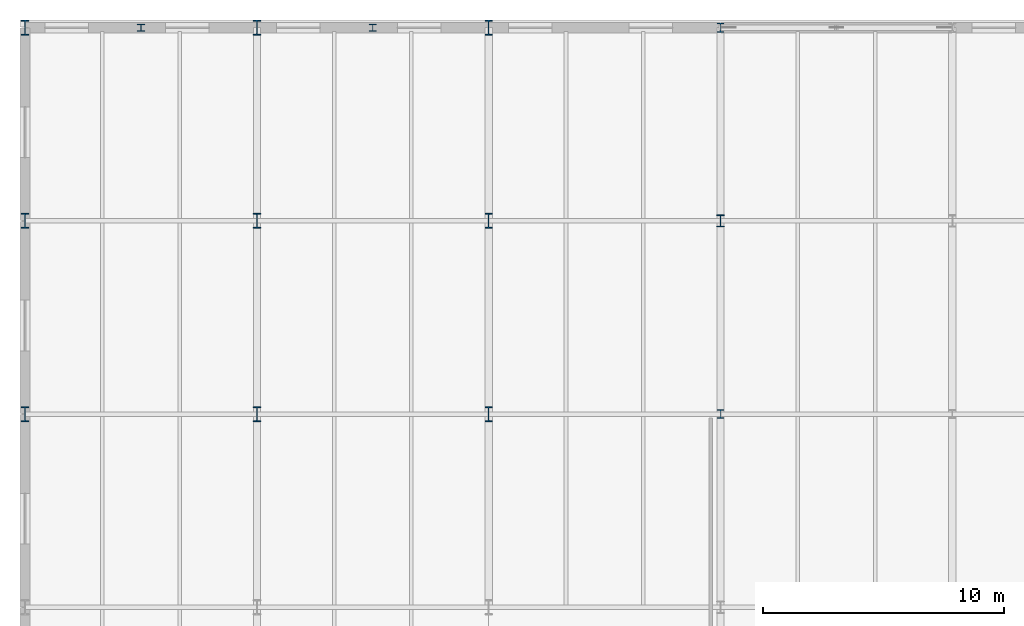
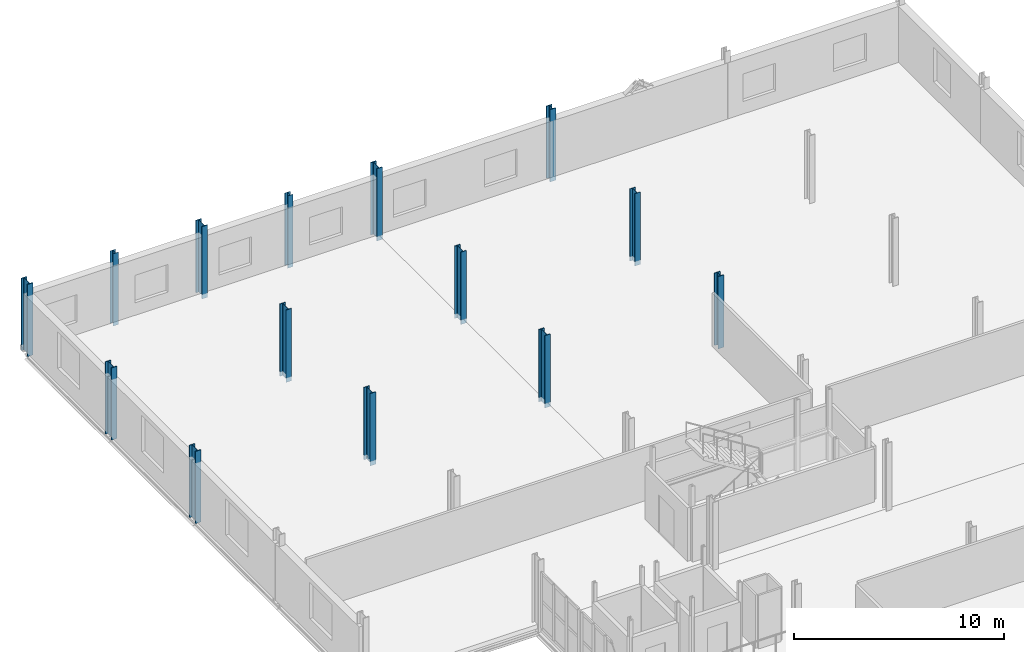
# One storey, part 17 of 78: 14 columns.
"""IFC4 building model written with IfcOpenShell, lengths in metres."""

from ifc_helpers import new_model, si_unit, direction, frame, origin, origin_2d, place, context, subcontext, project, spatial, i_section, extrude, material, material_profile, profile_set, type_object, element, save


model = new_model("IFC4")

# Units and contexts
model_context = context("Model", 3, precision=1e-05, world=origin(), true_north=direction((0.0, 1.0)))
body_context = subcontext(model_context, "Body", "Model", "MODEL_VIEW")
ifc_project = project(units=[si_unit("LENGTHUNIT", "METRE"), si_unit("AREAUNIT", "SQUARE_METRE"), si_unit("VOLUMEUNIT", "CUBIC_METRE"), si_unit("PLANEANGLEUNIT", "RADIAN"), si_unit("MASSUNIT", "GRAM", prefix="KILO")], contexts=[model_context])

# Site, building, storey
site_placement = place(None, origin())
site = spatial("IfcSite", under=ifc_project, at=site_placement, CompositionType="ELEMENT")
building_placement = place(site_placement, origin())
building = spatial("IfcBuilding", under=site, at=building_placement, Name="Alderhovde Museum", CompositionType="ELEMENT")
storey_placement = place(building_placement, frame((0.0, 0.0, 4.5)))
storey = spatial("IfcBuildingStorey", under=building, at=storey_placement, Name="L01", CompositionType="ELEMENT", Elevation=4.5)

# Columns
ifc_material_1 = material(Name="Steel S355J2", Category="steel")
ifc_material_profile_1 = material_profile(ifc_material_1, i_section(OverallWidth=0.300048828125, OverallDepth=0.5, WebThickness=0.014404296875, FlangeThickness=0.028076171875, FilletRadius=0.027099609375, at=origin_2d()), Name="HEB 500")
ifc_profile_set_1 = profile_set([ifc_material_profile_1], Name="Steel S355J2")
column_type_1 = type_object("IfcColumnType", Name="COL-HEB500", PredefinedType="COLUMN", material=ifc_profile_set_1)
column_placement = place(storey_placement, frame((38.39990234375, 104.0, -0.260009765625), z_axis=(0.0, 0.0, 1.0), x_axis=(1.0, 0.0, 0.0)))
element("IfcColumn", 1, at=column_placement, inside=storey, type_object=column_type_1, Name="L01 Column (38.4, 104.0)", PredefinedType="COLUMN", context=body_context, shape_type="SweptSolid", body=[
    extrude(i_section(OverallWidth=0.300048828125, OverallDepth=0.5, WebThickness=0.014404296875, FlangeThickness=0.028076171875, FilletRadius=0.027099609375, at=origin_2d()), origin(), (0.0, 0.0, 1.0), 4.199951171875),
])
ifc_material_2 = material(Name="Steel S355J2", Category="steel")
ifc_material_profile_2 = material_profile(ifc_material_2, i_section(OverallWidth=0.30908203125, OverallDepth=0.376953125, WebThickness=0.02099609375, FlangeThickness=0.0400390625, FilletRadius=0.027099609375, at=origin_2d()), Name="HEM 340")
ifc_profile_set_2 = profile_set([ifc_material_profile_2], Name="Steel S355J2")
column_type_2 = type_object("IfcColumnType", Name="COL-HEM340", PredefinedType="COLUMN", material=ifc_profile_set_2)
for number, where, z_axis, x_axis, name in (
    (2, (38.39990234375, 96.0, -0.260009765625), (0.0, 0.0, 1.0), (1.0, 0.0, 0.0), "L01 Column (38.4, 96.0)"),
    (3, (38.39990234375, 112.0, -0.260009765625), (0.0, 0.0, 1.0), (1.0, 0.0, 0.0), "L01 Column (38.4, 112.0)"),
):
    element("IfcColumn", number, at=place(storey_placement, frame(where, z_axis=z_axis, x_axis=x_axis)), inside=storey, type_object=column_type_2, Name=name, PredefinedType="COLUMN", context=body_context, shape_type="SweptSolid", body=[
        extrude(i_section(OverallWidth=0.30908203125, OverallDepth=0.376953125, WebThickness=0.02099609375, FlangeThickness=0.0400390625, FilletRadius=0.027099609375, at=origin_2d()), origin(), (0.0, 0.0, 1.0), 4.199951171875),
    ])
ifc_material_3 = material(Name="Steel S355J2", Category="steel")
ifc_material_profile_3 = material_profile(ifc_material_3, i_section(OverallWidth=0.304931640625, OverallDepth=0.6201171875, WebThickness=0.02099609375, FlangeThickness=0.0400390625, FilletRadius=0.027099609375, at=origin_2d()), Name="HEM 600")
ifc_profile_set_3 = profile_set([ifc_material_profile_3], Name="Steel S355J2")
column_type_3 = type_object("IfcColumnType", Name="COL-HEM600", PredefinedType="COLUMN", material=ifc_profile_set_3)
for number, where, z_axis, x_axis, name in (
    (4, (9.60009765625, 96.0, -0.260009765625), (0.0, 0.0, 1.0), (1.0, 0.0, 0.0), "L01 Column (9.6, 96.0)"),
    (5, (9.60009765625, 104.0, -0.260009765625), (0.0, 0.0, 1.0), (1.0, 0.0, 0.0), "L01 Column (9.6, 104.0)"),
    (6, (9.60009765625, 112.0, -0.260009765625), (0.0, 0.0, 1.0), (1.0, 0.0, 0.0), "L01 Column (9.6, 112.0)"),
    (7, (19.199951171875, 96.0, -0.260009765625), (0.0, 0.0, 1.0), (1.0, 0.0, 0.0), "L01 Column (19.2, 96.0)"),
    (8, (19.199951171875, 104.0, -0.260009765625), (0.0, 0.0, 1.0), (1.0, 0.0, 0.0), "L01 Column (19.2, 104.0)"),
    (9, (19.199951171875, 112.0, -0.260009765625), (0.0, 0.0, 1.0), (1.0, 0.0, 0.0), "L01 Column (19.2, 112.0)"),
    (10, (28.800048828125, 96.0, -0.260009765625), (0.0, 0.0, 1.0), (1.0, 0.0, 0.0), "L01 Column (28.8, 96.0)"),
    (11, (28.800048828125, 104.0, -0.260009765625), (0.0, 0.0, 1.0), (1.0, 0.0, 0.0), "L01 Column (28.8, 104.0)"),
    (12, (28.800048828125, 112.0, -0.260009765625), (0.0, 0.0, 1.0), (1.0, 0.0, 0.0), "L01 Column (28.8, 112.0)"),
):
    element("IfcColumn", number, at=place(storey_placement, frame(where, z_axis=z_axis, x_axis=x_axis)), inside=storey, type_object=column_type_3, Name=name, PredefinedType="COLUMN", context=body_context, shape_type="SweptSolid", body=[
        extrude(i_section(OverallWidth=0.304931640625, OverallDepth=0.6201171875, WebThickness=0.02099609375, FlangeThickness=0.0400390625, FilletRadius=0.027099609375, at=origin_2d()), origin(), (0.0, 0.0, 1.0), 4.199951171875),
    ])
ifc_material_4 = material(Name="Steel S355J2", Category="steel")
ifc_material_profile_4 = material_profile(ifc_material_4, i_section(OverallWidth=0.300048828125, OverallDepth=0.2900390625, WebThickness=0.008544921875, FlangeThickness=0.013916015625, FilletRadius=0.027099609375, at=origin_2d()), Name="HEA 300")
ifc_profile_set_4 = profile_set([ifc_material_profile_4], Name="Steel S355J2")
column_type_4 = type_object("IfcColumnType", Name="PIL-HEA300", PredefinedType="PILASTER", material=ifc_profile_set_4)
for number, where, z_axis, x_axis, name in (
    (13, (14.39990234375, 112.0, -0.260009765625), (0.0, 0.0, 1.0), (1.0, 0.0, 0.0), "L01 Structural Pilaster (14.4, 112.0)"),
    (14, (24.0, 112.0, -0.260009765625), (0.0, 0.0, 1.0), (1.0, 0.0, 0.0), "L01 Structural Pilaster (24.0, 112.0)"),
):
    element("IfcColumn", number, at=place(storey_placement, frame(where, z_axis=z_axis, x_axis=x_axis)), inside=storey, type_object=column_type_4, Name=name, PredefinedType="PILASTER", context=body_context, shape_type="SweptSolid", body=[
        extrude(i_section(OverallWidth=0.300048828125, OverallDepth=0.2900390625, WebThickness=0.008544921875, FlangeThickness=0.013916015625, FilletRadius=0.027099609375, at=origin_2d()), origin(), (0.0, 0.0, 1.0), 4.199951171875),
    ])

save(model, "model.ifc")
